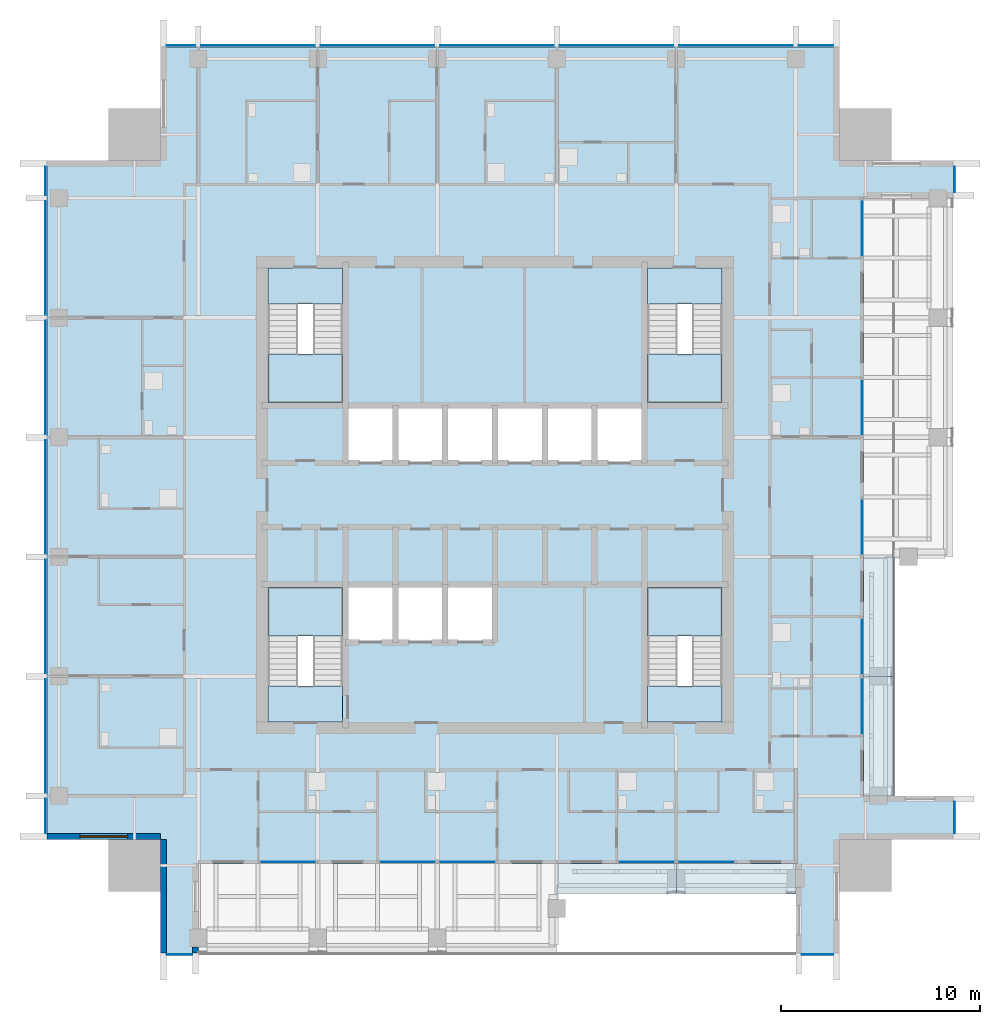
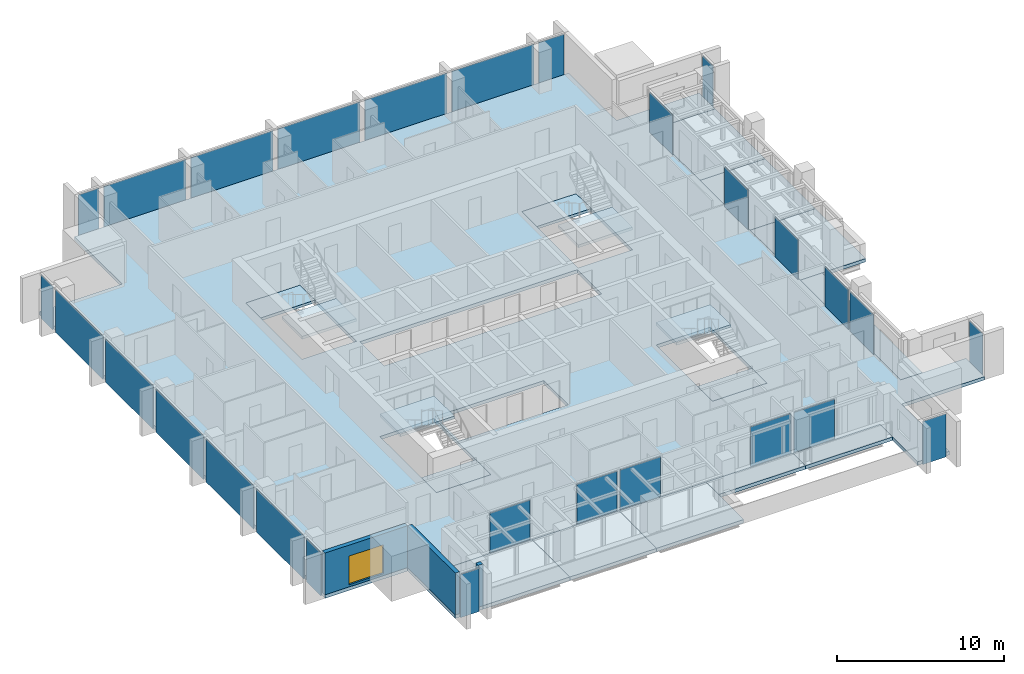
# One storey, part 7 of 17: 28 plates, 19 slabs, 3 walls, 1 window, 1 opening, 20 elements without a shape of their own.
"""IFC4 building model written with IfcOpenShell, lengths in metres."""

from ifc_helpers import new_model, si_unit, direction, frame, frame_2d, origin, origin_2d, place, context, subcontext, project, spatial, polyline, rectangle, outline, extrude, material, layer, layer_set, type_object, element, fill, aggregate, save


model = new_model("IFC4")

# Units and contexts
model_context = context("Model", 3, precision=1e-05, world=origin(), true_north=direction((0.0, 1.0)))
body_context = subcontext(model_context, "Body", "Model", "MODEL_VIEW")
ifc_project = project(units=[si_unit("LENGTHUNIT", "METRE"), si_unit("AREAUNIT", "SQUARE_METRE"), si_unit("VOLUMEUNIT", "CUBIC_METRE"), si_unit("PLANEANGLEUNIT", "RADIAN"), si_unit("MASSUNIT", "GRAM", prefix="KILO")], contexts=[model_context])

# Site, building, storey
site_placement = place(None, origin())
site = spatial("IfcSite", under=ifc_project, at=site_placement, CompositionType="ELEMENT")
building_placement = place(site_placement, origin())
building = spatial("IfcBuilding", under=site, at=building_placement, Name="Amberfall Residences", CompositionType="ELEMENT")
storey_placement = place(building_placement, frame((0.0, 0.0, 216.699951171875)))
storey = spatial("IfcBuildingStorey", under=building, at=storey_placement, Name="L58", CompositionType="ELEMENT", Elevation=216.699951171875)

# Curtain wall, plate
ifc_material_1 = material(Name="Bronze anodised aluminium and glass", Category="aluminium")
curtain_wall_type_1 = type_object("IfcCurtainWallType", Name="Curtain wall CW1 tower unit", PredefinedType="USERDEFINED", material=ifc_material_1)
curtain_wall_1_placement = place(storey_placement, origin())
curtain_wall_1 = element("IfcCurtainWall", 1, at=curtain_wall_1_placement, inside=storey, type_object=curtain_wall_type_1, Name="Curtain wall L58 S S1", ObjectType="UNITISED CURTAIN WALL", PredefinedType="USERDEFINED")
ifc_material_2 = material(Name="Tinted double glazed unit", Category="glass")
ifc_layer_1 = layer(ifc_material_2, 0.035888671875)
ifc_layer_set_1 = layer_set([ifc_layer_1], Name="CW1 panel 36 glazing")
plate_type_1 = type_object("IfcPlateType", Name="CW1 panel 36 glazing", PredefinedType="CURTAIN_PANEL", material=ifc_layer_set_1)
plate_1_placement = place(storey_placement, frame((58.64990234375, 22.425048828125, -0.25), z_axis=(0.0, 0.0, 1.0), x_axis=(1.0, 0.0, 0.0)))
plate_1 = element("IfcPlate", 2, at=plate_1_placement, type_object=plate_type_1, Name="CW1 panel 1.1", PredefinedType="CURTAIN_PANEL", context=body_context, shape_type="SweptSolid", body=[
    extrude(rectangle(XDim=1.27587890625, YDim=0.035888671875, at=origin_2d()), origin(), (0.0, 0.0, 1.0), 3.14990234375),
])
aggregate(curtain_wall_1, [plate_1])

curtain_wall_2_placement = place(storey_placement, origin())
curtain_wall_2 = element("IfcCurtainWall", 3, at=curtain_wall_2_placement, inside=storey, type_object=curtain_wall_type_1, Name="Curtain wall L58 S S9", ObjectType="UNITISED CURTAIN WALL", PredefinedType="USERDEFINED")
plate_2_placement = place(storey_placement, frame((90.699951171875, 22.425048828125, -0.25), z_axis=(0.0, 0.0, 1.0), x_axis=(1.0, 0.0, 0.0)))
plate_2 = element("IfcPlate", 4, at=plate_2_placement, type_object=plate_type_1, Name="CW1 panel 1.1", PredefinedType="CURTAIN_PANEL", context=body_context, shape_type="SweptSolid", body=[
    extrude(rectangle(XDim=1.575927734375, YDim=0.035888671875, at=origin_2d()), origin(), (0.0, 0.0, 1.0), 3.14990234375),
])
aggregate(curtain_wall_2, [plate_2])

curtain_wall_3_placement = place(storey_placement, origin())
curtain_wall_3 = element("IfcCurtainWall", 5, at=curtain_wall_3_placement, inside=storey, type_object=curtain_wall_type_1, Name="Curtain wall L58 E E1", ObjectType="UNITISED CURTAIN WALL", PredefinedType="USERDEFINED")
plate_3_placement = place(storey_placement, frame((97.574951171875, 29.300048828125, -0.25), z_axis=(0.0, 0.0, 1.0), x_axis=(0.0, 1.0, 0.0)))
plate_3 = element("IfcPlate", 6, at=plate_3_placement, type_object=plate_type_1, Name="CW1 panel 1.1", PredefinedType="CURTAIN_PANEL", context=body_context, shape_type="SweptSolid", body=[
    extrude(rectangle(XDim=1.575927734375, YDim=0.035888671875, at=origin_2d()), origin(), (0.0, 0.0, 1.0), 3.14990234375),
])
aggregate(curtain_wall_3, [plate_3])

curtain_wall_4_placement = place(storey_placement, origin())
curtain_wall_4 = element("IfcCurtainWall", 7, at=curtain_wall_4_placement, inside=storey, type_object=curtain_wall_type_1, Name="Curtain wall L58 E E9", ObjectType="UNITISED CURTAIN WALL", PredefinedType="USERDEFINED")
plate_4_placement = place(storey_placement, frame((97.574951171875, 61.35009765625, -0.25), z_axis=(0.0, 0.0, 1.0), x_axis=(0.0, 1.0, 0.0)))
plate_4 = element("IfcPlate", 8, at=plate_4_placement, type_object=plate_type_1, Name="CW1 panel 1.1", PredefinedType="CURTAIN_PANEL", context=body_context, shape_type="SweptSolid", body=[
    extrude(rectangle(XDim=1.27587890625, YDim=0.035888671875, at=origin_2d()), origin(), (0.0, 0.0, 1.0), 3.14990234375),
])
aggregate(curtain_wall_4, [plate_4])

# Curtain wall, plates
curtain_wall_5_placement = place(storey_placement, origin())
curtain_wall_5 = element("IfcCurtainWall", 9, at=curtain_wall_5_placement, inside=storey, type_object=curtain_wall_type_1, Name="Curtain wall L58 N N1", ObjectType="UNITISED CURTAIN WALL", PredefinedType="USERDEFINED")
plate_5_placement = place(storey_placement, frame((90.625, 68.074951171875, -0.25), z_axis=(0.0, 0.0, 1.0), x_axis=(-1.0, 0.0, 0.0)))
plate_5 = element("IfcPlate", 10, at=plate_5_placement, type_object=plate_type_1, Name="CW1 panel 1.1", PredefinedType="CURTAIN_PANEL", context=body_context, shape_type="SweptSolid", body=[
    extrude(rectangle(XDim=1.72607421875, YDim=0.035888671875, at=origin_2d()), origin(), (0.0, 0.0, 1.0), 3.14990234375),
])
plate_6_placement = place(storey_placement, frame((86.60009765625, 68.074951171875, -0.25), z_axis=(0.0, 0.0, 1.0), x_axis=(-1.0, 0.0, 0.0)))
plate_6 = element("IfcPlate", 11, at=plate_6_placement, type_object=plate_type_1, Name="CW1 panel 2.1", PredefinedType="CURTAIN_PANEL", context=body_context, shape_type="SweptSolid", body=[
    extrude(rectangle(XDim=5.676025390625, YDim=0.035888671875, at=origin_2d()), origin(), (0.0, 0.0, 1.0), 3.14990234375),
])
plate_7_placement = place(storey_placement, frame((80.60009765625, 68.074951171875, -0.25), z_axis=(0.0, 0.0, 1.0), x_axis=(-1.0, 0.0, 0.0)))
plate_7 = element("IfcPlate", 12, at=plate_7_placement, type_object=plate_type_1, Name="CW1 panel 3.1", PredefinedType="CURTAIN_PANEL", context=body_context, shape_type="SweptSolid", body=[
    extrude(rectangle(XDim=5.676025390625, YDim=0.035888671875, at=origin_2d()), origin(), (0.0, 0.0, 1.0), 3.14990234375),
])
plate_8_placement = place(storey_placement, frame((74.60009765625, 68.074951171875, -0.25), z_axis=(0.0, 0.0, 1.0), x_axis=(-1.0, 0.0, 0.0)))
plate_8 = element("IfcPlate", 13, at=plate_8_placement, type_object=plate_type_1, Name="CW1 panel 4.1", PredefinedType="CURTAIN_PANEL", context=body_context, shape_type="SweptSolid", body=[
    extrude(rectangle(XDim=5.676025390625, YDim=0.035888671875, at=origin_2d()), origin(), (0.0, 0.0, 1.0), 3.14990234375),
])
plate_9_placement = place(storey_placement, frame((68.60009765625, 68.074951171875, -0.25), z_axis=(0.0, 0.0, 1.0), x_axis=(-1.0, 0.0, 0.0)))
plate_9 = element("IfcPlate", 14, at=plate_9_placement, type_object=plate_type_1, Name="CW1 panel 5.1", PredefinedType="CURTAIN_PANEL", context=body_context, shape_type="SweptSolid", body=[
    extrude(rectangle(XDim=5.676025390625, YDim=0.035888671875, at=origin_2d()), origin(), (0.0, 0.0, 1.0), 3.14990234375),
])
plate_10_placement = place(storey_placement, frame((62.60009765625, 68.074951171875, -0.25), z_axis=(0.0, 0.0, 1.0), x_axis=(-1.0, 0.0, 0.0)))
plate_10 = element("IfcPlate", 15, at=plate_10_placement, type_object=plate_type_1, Name="CW1 panel 6.1", PredefinedType="CURTAIN_PANEL", context=body_context, shape_type="SweptSolid", body=[
    extrude(rectangle(XDim=5.676025390625, YDim=0.035888671875, at=origin_2d()), origin(), (0.0, 0.0, 1.0), 3.14990234375),
])
plate_11_placement = place(storey_placement, frame((58.72509765625, 68.074951171875, -0.25), z_axis=(0.0, 0.0, 1.0), x_axis=(-1.0, 0.0, 0.0)))
plate_11 = element("IfcPlate", 16, at=plate_11_placement, type_object=plate_type_1, Name="CW1 panel 7.1", PredefinedType="CURTAIN_PANEL", context=body_context, shape_type="SweptSolid", body=[
    extrude(rectangle(XDim=1.426025390625, YDim=0.035888671875, at=origin_2d()), origin(), (0.0, 0.0, 1.0), 3.14990234375),
])
aggregate(curtain_wall_5, [plate_5, plate_6, plate_7, plate_8, plate_9, plate_10, plate_11])

curtain_wall_6_placement = place(storey_placement, origin())
curtain_wall_6 = element("IfcCurtainWall", 17, at=curtain_wall_6_placement, inside=storey, type_object=curtain_wall_type_1, Name="Curtain wall L58 W W1", ObjectType="UNITISED CURTAIN WALL", PredefinedType="USERDEFINED")
plate_12_placement = place(storey_placement, frame((51.925048828125, 61.27490234375, -0.25), z_axis=(0.0, 0.0, 1.0), x_axis=(0.0, -1.0, 0.0)))
plate_12 = element("IfcPlate", 18, at=plate_12_placement, type_object=plate_type_1, Name="CW1 panel 1.1", PredefinedType="CURTAIN_PANEL", context=body_context, shape_type="SweptSolid", body=[
    extrude(rectangle(XDim=1.426025390625, YDim=0.035888671875, at=origin_2d()), origin(), (0.0, 0.0, 1.0), 3.14990234375),
])
plate_13_placement = place(storey_placement, frame((51.925048828125, 57.39990234375, -0.25), z_axis=(0.0, 0.0, 1.0), x_axis=(0.0, -1.0, 0.0)))
plate_13 = element("IfcPlate", 19, at=plate_13_placement, type_object=plate_type_1, Name="CW1 panel 2.1", PredefinedType="CURTAIN_PANEL", context=body_context, shape_type="SweptSolid", body=[
    extrude(rectangle(XDim=5.676025390625, YDim=0.035888671875, at=origin_2d()), origin(), (0.0, 0.0, 1.0), 3.14990234375),
])
plate_14_placement = place(storey_placement, frame((51.925048828125, 51.39990234375, -0.25), z_axis=(0.0, 0.0, 1.0), x_axis=(0.0, -1.0, 0.0)))
plate_14 = element("IfcPlate", 20, at=plate_14_placement, type_object=plate_type_1, Name="CW1 panel 3.1", PredefinedType="CURTAIN_PANEL", context=body_context, shape_type="SweptSolid", body=[
    extrude(rectangle(XDim=5.676025390625, YDim=0.035888671875, at=origin_2d()), origin(), (0.0, 0.0, 1.0), 3.14990234375),
])
plate_15_placement = place(storey_placement, frame((51.925048828125, 45.39990234375, -0.25), z_axis=(0.0, 0.0, 1.0), x_axis=(0.0, -1.0, 0.0)))
plate_15 = element("IfcPlate", 21, at=plate_15_placement, type_object=plate_type_1, Name="CW1 panel 4.1", PredefinedType="CURTAIN_PANEL", context=body_context, shape_type="SweptSolid", body=[
    extrude(rectangle(XDim=5.676025390625, YDim=0.035888671875, at=origin_2d()), origin(), (0.0, 0.0, 1.0), 3.14990234375),
])
plate_16_placement = place(storey_placement, frame((51.925048828125, 39.39990234375, -0.25), z_axis=(0.0, 0.0, 1.0), x_axis=(0.0, -1.0, 0.0)))
plate_16 = element("IfcPlate", 22, at=plate_16_placement, type_object=plate_type_1, Name="CW1 panel 5.1", PredefinedType="CURTAIN_PANEL", context=body_context, shape_type="SweptSolid", body=[
    extrude(rectangle(XDim=5.676025390625, YDim=0.035888671875, at=origin_2d()), origin(), (0.0, 0.0, 1.0), 3.14990234375),
])
plate_17_placement = place(storey_placement, frame((51.925048828125, 33.39990234375, -0.25), z_axis=(0.0, 0.0, 1.0), x_axis=(0.0, -1.0, 0.0)))
plate_17 = element("IfcPlate", 23, at=plate_17_placement, type_object=plate_type_1, Name="CW1 panel 6.1", PredefinedType="CURTAIN_PANEL", context=body_context, shape_type="SweptSolid", body=[
    extrude(rectangle(XDim=5.676025390625, YDim=0.035888671875, at=origin_2d()), origin(), (0.0, 0.0, 1.0), 3.14990234375),
])
plate_18_placement = place(storey_placement, frame((51.925048828125, 29.375, -0.25), z_axis=(0.0, 0.0, 1.0), x_axis=(0.0, -1.0, 0.0)))
plate_18 = element("IfcPlate", 24, at=plate_18_placement, type_object=plate_type_1, Name="CW1 panel 7.1", PredefinedType="CURTAIN_PANEL", context=body_context, shape_type="SweptSolid", body=[
    extrude(rectangle(XDim=1.72607421875, YDim=0.035888671875, at=origin_2d()), origin(), (0.0, 0.0, 1.0), 3.14990234375),
])
aggregate(curtain_wall_6, [plate_12, plate_13, plate_14, plate_15, plate_16, plate_17, plate_18])

# Curtain wall, plate
curtain_wall_type_2 = type_object("IfcCurtainWallType", Name="Curtain wall CW3 sky garden glazing", PredefinedType="USERDEFINED", material=ifc_material_1)
curtain_wall_7_placement = place(storey_placement, origin())
curtain_wall_7 = element("IfcCurtainWall", 25, at=curtain_wall_7_placement, inside=storey, type_object=curtain_wall_type_2, Name="Curtain wall L58 S S3", ObjectType="UNITISED CURTAIN WALL", PredefinedType="USERDEFINED")
ifc_material_3 = material(Name="Tinted laminated double glazed unit", Category="glass")
ifc_layer_2 = layer(ifc_material_3, 0.0439453125)
ifc_layer_set_2 = layer_set([ifc_layer_2], Name="CW3 panel 44 glazing")
plate_type_2 = type_object("IfcPlateType", Name="CW3 panel 44 glazing", PredefinedType="CURTAIN_PANEL", material=ifc_layer_set_2)
plate_19_placement = place(storey_placement, frame((64.10009765625, 27.074951171875, 0.0), z_axis=(0.0, 0.0, 1.0), x_axis=(1.0, 0.0, 0.0)))
plate_19 = element("IfcPlate", 26, at=plate_19_placement, type_object=plate_type_2, Name="CW3 panel 1.1", PredefinedType="CURTAIN_PANEL", context=body_context, shape_type="SweptSolid", body=[
    extrude(rectangle(XDim=2.77587890625, YDim=0.0439453125, at=origin_2d()), origin(), (0.0, 0.0, 1.0), 2.89990234375),
])
aggregate(curtain_wall_7, [plate_19])

curtain_wall_8_placement = place(storey_placement, origin())
curtain_wall_8 = element("IfcCurtainWall", 27, at=curtain_wall_8_placement, inside=storey, type_object=curtain_wall_type_2, Name="Curtain wall L58 S S4", ObjectType="UNITISED CURTAIN WALL", PredefinedType="USERDEFINED")
plate_20_placement = place(storey_placement, frame((70.10009765625, 27.074951171875, 0.0), z_axis=(0.0, 0.0, 1.0), x_axis=(1.0, 0.0, 0.0)))
plate_20 = element("IfcPlate", 28, at=plate_20_placement, type_object=plate_type_2, Name="CW3 panel 1.1", PredefinedType="CURTAIN_PANEL", context=body_context, shape_type="SweptSolid", body=[
    extrude(rectangle(XDim=2.77587890625, YDim=0.0439453125, at=origin_2d()), origin(), (0.0, 0.0, 1.0), 2.89990234375),
])
aggregate(curtain_wall_8, [plate_20])

curtain_wall_9_placement = place(storey_placement, origin())
curtain_wall_9 = element("IfcCurtainWall", 29, at=curtain_wall_9_placement, inside=storey, type_object=curtain_wall_type_2, Name="Curtain wall L58 S S5", ObjectType="UNITISED CURTAIN WALL", PredefinedType="USERDEFINED")
plate_21_placement = place(storey_placement, frame((73.10009765625, 27.074951171875, 0.0), z_axis=(0.0, 0.0, 1.0), x_axis=(1.0, 0.0, 0.0)))
plate_21 = element("IfcPlate", 30, at=plate_21_placement, type_object=plate_type_2, Name="CW3 panel 1.1", PredefinedType="CURTAIN_PANEL", context=body_context, shape_type="SweptSolid", body=[
    extrude(rectangle(XDim=2.77587890625, YDim=0.0439453125, at=origin_2d()), origin(), (0.0, 0.0, 1.0), 2.89990234375),
])
aggregate(curtain_wall_9, [plate_21])

curtain_wall_10_placement = place(storey_placement, origin())
curtain_wall_10 = element("IfcCurtainWall", 31, at=curtain_wall_10_placement, inside=storey, type_object=curtain_wall_type_2, Name="Curtain wall L58 S S6", ObjectType="UNITISED CURTAIN WALL", PredefinedType="USERDEFINED")
plate_22_placement = place(storey_placement, frame((82.10009765625, 27.074951171875, 0.0), z_axis=(0.0, 0.0, 1.0), x_axis=(1.0, 0.0, 0.0)))
plate_22 = element("IfcPlate", 32, at=plate_22_placement, type_object=plate_type_2, Name="CW3 panel 1.1", PredefinedType="CURTAIN_PANEL", context=body_context, shape_type="SweptSolid", body=[
    extrude(rectangle(XDim=2.77587890625, YDim=0.0439453125, at=origin_2d()), origin(), (0.0, 0.0, 1.0), 2.89990234375),
])
aggregate(curtain_wall_10, [plate_22])

curtain_wall_11_placement = place(storey_placement, origin())
curtain_wall_11 = element("IfcCurtainWall", 33, at=curtain_wall_11_placement, inside=storey, type_object=curtain_wall_type_2, Name="Curtain wall L58 S S7", ObjectType="UNITISED CURTAIN WALL", PredefinedType="USERDEFINED")
plate_23_placement = place(storey_placement, frame((85.10009765625, 27.074951171875, 0.0), z_axis=(0.0, 0.0, 1.0), x_axis=(1.0, 0.0, 0.0)))
plate_23 = element("IfcPlate", 34, at=plate_23_placement, type_object=plate_type_2, Name="CW3 panel 1.1", PredefinedType="CURTAIN_PANEL", context=body_context, shape_type="SweptSolid", body=[
    extrude(rectangle(XDim=2.77587890625, YDim=0.0439453125, at=origin_2d()), origin(), (0.0, 0.0, 1.0), 2.89990234375),
])
aggregate(curtain_wall_11, [plate_23])

curtain_wall_12_placement = place(storey_placement, origin())
curtain_wall_12 = element("IfcCurtainWall", 35, at=curtain_wall_12_placement, inside=storey, type_object=curtain_wall_type_2, Name="Curtain wall L58 E E3", ObjectType="UNITISED CURTAIN WALL", PredefinedType="USERDEFINED")
plate_24_placement = place(storey_placement, frame((92.925048828125, 34.89990234375, 0.0), z_axis=(0.0, 0.0, 1.0), x_axis=(0.0, 1.0, 0.0)))
plate_24 = element("IfcPlate", 36, at=plate_24_placement, type_object=plate_type_2, Name="CW3 panel 1.1", PredefinedType="CURTAIN_PANEL", context=body_context, shape_type="SweptSolid", body=[
    extrude(rectangle(XDim=2.77587890625, YDim=0.0439453125, at=origin_2d()), origin(), (0.0, 0.0, 1.0), 2.89990234375),
])
aggregate(curtain_wall_12, [plate_24])

curtain_wall_13_placement = place(storey_placement, origin())
curtain_wall_13 = element("IfcCurtainWall", 37, at=curtain_wall_13_placement, inside=storey, type_object=curtain_wall_type_2, Name="Curtain wall L58 E E4", ObjectType="UNITISED CURTAIN WALL", PredefinedType="USERDEFINED")
plate_25_placement = place(storey_placement, frame((92.925048828125, 37.89990234375, 0.0), z_axis=(0.0, 0.0, 1.0), x_axis=(0.0, 1.0, 0.0)))
plate_25 = element("IfcPlate", 38, at=plate_25_placement, type_object=plate_type_2, Name="CW3 panel 1.1", PredefinedType="CURTAIN_PANEL", context=body_context, shape_type="SweptSolid", body=[
    extrude(rectangle(XDim=2.77587890625, YDim=0.0439453125, at=origin_2d()), origin(), (0.0, 0.0, 1.0), 2.89990234375),
])
aggregate(curtain_wall_13, [plate_25])

curtain_wall_14_placement = place(storey_placement, origin())
curtain_wall_14 = element("IfcCurtainWall", 39, at=curtain_wall_14_placement, inside=storey, type_object=curtain_wall_type_2, Name="Curtain wall L58 E E5", ObjectType="UNITISED CURTAIN WALL", PredefinedType="USERDEFINED")
plate_26_placement = place(storey_placement, frame((92.925048828125, 43.89990234375, 0.0), z_axis=(0.0, 0.0, 1.0), x_axis=(0.0, 1.0, 0.0)))
plate_26 = element("IfcPlate", 40, at=plate_26_placement, type_object=plate_type_2, Name="CW3 panel 1.1", PredefinedType="CURTAIN_PANEL", context=body_context, shape_type="SweptSolid", body=[
    extrude(rectangle(XDim=2.77587890625, YDim=0.0439453125, at=origin_2d()), origin(), (0.0, 0.0, 1.0), 2.89990234375),
])
aggregate(curtain_wall_14, [plate_26])

curtain_wall_15_placement = place(storey_placement, origin())
curtain_wall_15 = element("IfcCurtainWall", 41, at=curtain_wall_15_placement, inside=storey, type_object=curtain_wall_type_2, Name="Curtain wall L58 E E6", ObjectType="UNITISED CURTAIN WALL", PredefinedType="USERDEFINED")
plate_27_placement = place(storey_placement, frame((92.925048828125, 49.89990234375, 0.0), z_axis=(0.0, 0.0, 1.0), x_axis=(0.0, 1.0, 0.0)))
plate_27 = element("IfcPlate", 42, at=plate_27_placement, type_object=plate_type_2, Name="CW3 panel 1.1", PredefinedType="CURTAIN_PANEL", context=body_context, shape_type="SweptSolid", body=[
    extrude(rectangle(XDim=2.77587890625, YDim=0.0439453125, at=origin_2d()), origin(), (0.0, 0.0, 1.0), 2.89990234375),
])
aggregate(curtain_wall_15, [plate_27])

curtain_wall_16_placement = place(storey_placement, origin())
curtain_wall_16 = element("IfcCurtainWall", 43, at=curtain_wall_16_placement, inside=storey, type_object=curtain_wall_type_2, Name="Curtain wall L58 E E7", ObjectType="UNITISED CURTAIN WALL", PredefinedType="USERDEFINED")
plate_28_placement = place(storey_placement, frame((92.925048828125, 58.89990234375, 0.0), z_axis=(0.0, 0.0, 1.0), x_axis=(0.0, 1.0, 0.0)))
plate_28 = element("IfcPlate", 44, at=plate_28_placement, type_object=plate_type_2, Name="CW3 panel 1.1", PredefinedType="CURTAIN_PANEL", context=body_context, shape_type="SweptSolid", body=[
    extrude(rectangle(XDim=2.77587890625, YDim=0.0439453125, at=origin_2d()), origin(), (0.0, 0.0, 1.0), 2.89990234375),
])
aggregate(curtain_wall_16, [plate_28])

# Slabs
ifc_material_4 = material(Name="Concrete C55", Category="concrete")
ifc_layer_3 = layer(ifc_material_4, 0.25)
ifc_layer_set_3 = layer_set([ifc_layer_3], Name="Floor slab 250 C55")
slab_type_1 = type_object("IfcSlabType", Name="Floor slab 250 C55", PredefinedType="FLOOR", material=ifc_layer_set_3)
slab_1_placement = place(storey_placement, frame((0.0, 0.0, -0.25)))
element("IfcSlab", 45, at=slab_1_placement, inside=storey, type_object=slab_type_1, Name="Floor slab S16 L58", PredefinedType="FLOOR", context=body_context, shape_type="SweptSolid", body=[
    extrude(outline(polyline([(89.60009765625, 22.5), (89.60009765625, 27.0), (83.60009765625, 27.0), (77.60009765625, 27.0), (71.60009765625, 27.0), (65.60009765625, 27.0), (59.60009765625, 27.0), (59.60009765625, 22.5), (57.699951171875, 22.5), (57.699951171875, 28.199951171875), (52.0, 28.199951171875), (52.0, 62.300048828125), (57.699951171875, 62.300048828125), (57.699951171875, 68.0), (91.800048828125, 68.0), (91.800048828125, 62.300048828125), (97.5, 62.300048828125), (97.5, 60.39990234375), (93.0, 60.39990234375), (93.0, 54.39990234375), (93.0, 48.39990234375), (93.0, 42.39990234375), (93.0, 36.39990234375), (93.0, 30.39990234375), (97.5, 30.39990234375), (97.5, 28.199951171875), (91.800048828125, 28.199951171875), (91.800048828125, 22.5), (89.60009765625, 22.5)]), holes=[polyline([(85.89990234375, 34.10009765625), (85.89990234375, 40.85009765625), (82.14990234375, 40.85009765625), (82.14990234375, 34.10009765625), (85.89990234375, 34.10009765625)]), polyline([(85.89990234375, 50.14990234375), (85.89990234375, 56.89990234375), (82.14990234375, 56.89990234375), (82.14990234375, 50.14990234375), (85.89990234375, 50.14990234375)]), polyline([(67.0, 50.0), (67.0, 47.10009765625), (69.5, 47.10009765625), (72.0, 47.10009765625), (74.5, 47.10009765625), (77.0, 47.10009765625), (79.5, 47.10009765625), (82.0, 47.10009765625), (82.0, 50.0), (79.5, 50.0), (77.0, 50.0), (74.5, 50.0), (72.0, 50.0), (69.5, 50.0), (67.0, 50.0)]), polyline([(69.5, 41.0), (67.0, 41.0), (67.0, 38.10009765625), (69.5, 38.10009765625), (72.0, 38.10009765625), (74.5, 38.10009765625), (74.5, 41.0), (72.0, 41.0), (69.5, 41.0)]), polyline([(66.85009765625, 40.85009765625), (63.10009765625, 40.85009765625), (63.10009765625, 34.10009765625), (66.85009765625, 34.10009765625), (66.85009765625, 40.85009765625)]), polyline([(66.85009765625, 56.89990234375), (63.10009765625, 56.89990234375), (63.10009765625, 50.14990234375), (66.85009765625, 50.14990234375), (66.85009765625, 56.89990234375)])]), origin(), (0.0, 0.0, 1.0), 0.25),
])
ifc_layer_4 = layer(ifc_material_4, 0.25)
ifc_layer_set_4 = layer_set([ifc_layer_4], Name="Garden terrace slab 250 C55")
slab_type_2 = type_object("IfcSlabType", Name="Garden terrace slab 250 C55", PredefinedType="FLOOR", material=ifc_layer_set_4)
slab_2_placement = place(storey_placement, frame((0.0, 0.0, -0.25)))
element("IfcSlab", 46, at=slab_2_placement, inside=storey, type_object=slab_type_2, Name="Terrace slab S17 L58 S1", PredefinedType="FLOOR", context=body_context, shape_type="SweptSolid", body=[
    extrude(outline(polyline([(65.60009765625, 22.5), (65.60009765625, 27.0), (59.60009765625, 27.0), (59.60009765625, 22.5), (65.60009765625, 22.5)])), origin(), (0.0, 0.0, 1.0), 0.25),
])
slab_3_placement = place(storey_placement, frame((0.0, 0.0, -0.25)))
element("IfcSlab", 47, at=slab_3_placement, inside=storey, type_object=slab_type_2, Name="Terrace slab S17 L58 S2", PredefinedType="FLOOR", context=body_context, shape_type="SweptSolid", body=[
    extrude(outline(polyline([(71.60009765625, 22.5), (71.60009765625, 27.0), (65.60009765625, 27.0), (65.60009765625, 22.5), (71.60009765625, 22.5)])), origin(), (0.0, 0.0, 1.0), 0.25),
])
slab_4_placement = place(storey_placement, frame((0.0, 0.0, -0.25)))
element("IfcSlab", 48, at=slab_4_placement, inside=storey, type_object=slab_type_2, Name="Terrace slab S17 L58 S3", PredefinedType="FLOOR", context=body_context, shape_type="SweptSolid", body=[
    extrude(outline(polyline([(77.60009765625, 22.5), (77.60009765625, 27.0), (71.60009765625, 27.0), (71.60009765625, 22.5), (77.60009765625, 22.5)])), origin(), (0.0, 0.0, 1.0), 0.25),
])
slab_5_placement = place(storey_placement, frame((0.0, 0.0, -0.25)))
element("IfcSlab", 49, at=slab_5_placement, inside=storey, type_object=slab_type_2, Name="Terrace slab S17 L58 S4", PredefinedType="FLOOR", context=body_context, shape_type="SweptSolid", body=[
    extrude(outline(polyline([(77.60009765625, 27.0), (83.60009765625, 27.0), (83.60009765625, 25.5), (77.60009765625, 25.5), (77.60009765625, 27.0)])), origin(), (0.0, 0.0, 1.0), 0.25),
])
slab_6_placement = place(storey_placement, frame((0.0, 0.0, -0.25)))
element("IfcSlab", 50, at=slab_6_placement, inside=storey, type_object=slab_type_2, Name="Terrace slab S17 L58 S5", PredefinedType="FLOOR", context=body_context, shape_type="SweptSolid", body=[
    extrude(outline(polyline([(83.60009765625, 27.0), (89.60009765625, 27.0), (89.60009765625, 25.5), (83.60009765625, 25.5), (83.60009765625, 27.0)])), origin(), (0.0, 0.0, 1.0), 0.25),
])
slab_7_placement = place(storey_placement, frame((0.0, 0.0, -0.25)))
element("IfcSlab", 51, at=slab_7_placement, inside=storey, type_object=slab_type_2, Name="Terrace slab S17 L58 E1", PredefinedType="FLOOR", context=body_context, shape_type="SweptSolid", body=[
    extrude(outline(polyline([(93.0, 30.39990234375), (93.0, 36.39990234375), (94.5, 36.39990234375), (94.5, 30.39990234375), (93.0, 30.39990234375)])), origin(), (0.0, 0.0, 1.0), 0.25),
])
slab_8_placement = place(storey_placement, frame((0.0, 0.0, -0.25)))
element("IfcSlab", 52, at=slab_8_placement, inside=storey, type_object=slab_type_2, Name="Terrace slab S17 L58 E2", PredefinedType="FLOOR", context=body_context, shape_type="SweptSolid", body=[
    extrude(outline(polyline([(93.0, 36.39990234375), (93.0, 42.39990234375), (94.5, 42.39990234375), (94.5, 36.39990234375), (93.0, 36.39990234375)])), origin(), (0.0, 0.0, 1.0), 0.25),
])
slab_9_placement = place(storey_placement, frame((0.0, 0.0, -0.25)))
element("IfcSlab", 53, at=slab_9_placement, inside=storey, type_object=slab_type_2, Name="Terrace slab S17 L58 E3", PredefinedType="FLOOR", context=body_context, shape_type="SweptSolid", body=[
    extrude(outline(polyline([(97.5, 42.39990234375), (97.5, 48.39990234375), (93.0, 48.39990234375), (93.0, 42.39990234375), (97.5, 42.39990234375)])), origin(), (0.0, 0.0, 1.0), 0.25),
])
slab_10_placement = place(storey_placement, frame((0.0, 0.0, -0.25)))
element("IfcSlab", 54, at=slab_10_placement, inside=storey, type_object=slab_type_2, Name="Terrace slab S17 L58 E4", PredefinedType="FLOOR", context=body_context, shape_type="SweptSolid", body=[
    extrude(outline(polyline([(97.5, 48.39990234375), (97.5, 54.39990234375), (93.0, 54.39990234375), (93.0, 48.39990234375), (97.5, 48.39990234375)])), origin(), (0.0, 0.0, 1.0), 0.25),
])
slab_11_placement = place(storey_placement, frame((0.0, 0.0, -0.25)))
element("IfcSlab", 55, at=slab_11_placement, inside=storey, type_object=slab_type_2, Name="Terrace slab S17 L58 E5", PredefinedType="FLOOR", context=body_context, shape_type="SweptSolid", body=[
    extrude(outline(polyline([(97.5, 54.39990234375), (97.5, 60.39990234375), (93.0, 60.39990234375), (93.0, 54.39990234375), (97.5, 54.39990234375)])), origin(), (0.0, 0.0, 1.0), 0.25),
])

# Stair, slabs
ifc_material_5 = material(Name="Concrete C40", Category="concrete")
stair_type = type_object("IfcStairType", Name="Exit stair 20 risers 165.0 mm", PredefinedType="HALF_TURN_STAIR", material=ifc_material_5)
stair_1_placement = place(storey_placement, origin())
stair_1 = element("IfcStair", 56, at=stair_1_placement, inside=storey, type_object=stair_type, Name="L58 Exit stair 1", PredefinedType="HALF_TURN_STAIR")
ifc_layer_5 = layer(ifc_material_5, 0.199951171875)
ifc_layer_set_5 = layer_set([ifc_layer_5], Name="Stair landing 200")
slab_type_3 = type_object("IfcSlabType", Name="Stair landing 200", PredefinedType="LANDING", material=ifc_layer_set_5)
slab_12_placement = place(storey_placement, frame((0.0, 0.0, 1.449951171875)))
slab_12 = element("IfcSlab", 57, at=slab_12_placement, type_object=slab_type_3, Name="ST3 landing 1", PredefinedType="LANDING", context=body_context, shape_type="SweptSolid", body=[
    extrude(outline(polyline([(66.85009765625, 38.419921875), (66.85009765625, 40.85009765625), (63.10009765625, 40.85009765625), (63.10009765625, 38.419921875), (66.85009765625, 38.419921875)])), origin(), (0.0, 0.0, 1.0), 0.2001953125),
])
slab_13_placement = place(storey_placement, frame((0.0, 0.0, -0.199951171875)))
slab_13 = element("IfcSlab", 58, at=slab_13_placement, type_object=slab_type_3, Name="ST3 landing 2", PredefinedType="LANDING", context=body_context, shape_type="SweptSolid", body=[
    extrude(outline(polyline([(66.85009765625, 34.10009765625), (66.85009765625, 35.89990234375), (63.10009765625, 35.89990234375), (63.10009765625, 34.10009765625), (66.85009765625, 34.10009765625)])), origin(), (0.0, 0.0, 1.0), 0.199951171875),
])
aggregate(stair_1, [slab_12, slab_13])

stair_2_placement = place(storey_placement, origin())
stair_2 = element("IfcStair", 59, at=stair_2_placement, inside=storey, type_object=stair_type, Name="L58 Exit stair 2", PredefinedType="HALF_TURN_STAIR")
slab_14_placement = place(storey_placement, frame((0.0, 0.0, 1.449951171875)))
slab_14 = element("IfcSlab", 60, at=slab_14_placement, type_object=slab_type_3, Name="ST3 landing 1", PredefinedType="LANDING", context=body_context, shape_type="SweptSolid", body=[
    extrude(outline(polyline([(85.89990234375, 38.419921875), (85.89990234375, 40.85009765625), (82.14990234375, 40.85009765625), (82.14990234375, 38.419921875), (85.89990234375, 38.419921875)])), origin(), (0.0, 0.0, 1.0), 0.2001953125),
])
slab_15_placement = place(storey_placement, frame((0.0, 0.0, -0.199951171875)))
slab_15 = element("IfcSlab", 61, at=slab_15_placement, type_object=slab_type_3, Name="ST3 landing 2", PredefinedType="LANDING", context=body_context, shape_type="SweptSolid", body=[
    extrude(outline(polyline([(85.89990234375, 34.10009765625), (85.89990234375, 35.89990234375), (82.14990234375, 35.89990234375), (82.14990234375, 34.10009765625), (85.89990234375, 34.10009765625)])), origin(), (0.0, 0.0, 1.0), 0.199951171875),
])
aggregate(stair_2, [slab_14, slab_15])

stair_3_placement = place(storey_placement, origin())
stair_3 = element("IfcStair", 62, at=stair_3_placement, inside=storey, type_object=stair_type, Name="L58 Exit stair 3", PredefinedType="HALF_TURN_STAIR")
slab_16_placement = place(storey_placement, frame((0.0, 0.0, 1.449951171875)))
slab_16 = element("IfcSlab", 63, at=slab_16_placement, type_object=slab_type_3, Name="ST3 landing 1", PredefinedType="LANDING", context=body_context, shape_type="SweptSolid", body=[
    extrude(outline(polyline([(82.14990234375, 52.580078125), (82.14990234375, 50.14990234375), (85.89990234375, 50.14990234375), (85.89990234375, 52.580078125), (82.14990234375, 52.580078125)])), origin(), (0.0, 0.0, 1.0), 0.2001953125),
])
slab_17_placement = place(storey_placement, frame((0.0, 0.0, -0.199951171875)))
slab_17 = element("IfcSlab", 64, at=slab_17_placement, type_object=slab_type_3, Name="ST3 landing 2", PredefinedType="LANDING", context=body_context, shape_type="SweptSolid", body=[
    extrude(outline(polyline([(82.14990234375, 56.89990234375), (82.14990234375, 55.10009765625), (85.89990234375, 55.10009765625), (85.89990234375, 56.89990234375), (82.14990234375, 56.89990234375)])), origin(), (0.0, 0.0, 1.0), 0.199951171875),
])
aggregate(stair_3, [slab_16, slab_17])

stair_4_placement = place(storey_placement, origin())
stair_4 = element("IfcStair", 65, at=stair_4_placement, inside=storey, type_object=stair_type, Name="L58 Exit stair 4", PredefinedType="HALF_TURN_STAIR")
slab_18_placement = place(storey_placement, frame((0.0, 0.0, 1.449951171875)))
slab_18 = element("IfcSlab", 66, at=slab_18_placement, type_object=slab_type_3, Name="ST3 landing 1", PredefinedType="LANDING", context=body_context, shape_type="SweptSolid", body=[
    extrude(outline(polyline([(63.10009765625, 52.580078125), (63.10009765625, 50.14990234375), (66.85009765625, 50.14990234375), (66.85009765625, 52.580078125), (63.10009765625, 52.580078125)])), origin(), (0.0, 0.0, 1.0), 0.2001953125),
])
slab_19_placement = place(storey_placement, frame((0.0, 0.0, -0.199951171875)))
slab_19 = element("IfcSlab", 67, at=slab_19_placement, type_object=slab_type_3, Name="ST3 landing 2", PredefinedType="LANDING", context=body_context, shape_type="SweptSolid", body=[
    extrude(outline(polyline([(63.10009765625, 56.89990234375), (63.10009765625, 55.10009765625), (66.85009765625, 55.10009765625), (66.85009765625, 56.89990234375), (63.10009765625, 56.89990234375)])), origin(), (0.0, 0.0, 1.0), 0.199951171875),
])
aggregate(stair_4, [slab_18, slab_19])

# Wall
ifc_material_6 = material(Name="Pale stone cladding on insulated backing", Category="masonry")
ifc_layer_6 = layer(ifc_material_6, 0.300048828125)
ifc_layer_set_6 = layer_set([ifc_layer_6], Name="Bronze clad wall 300")
wall_type = type_object("IfcWallType", Name="Bronze clad wall 300", PredefinedType="SOLIDWALL", material=ifc_layer_set_6)
wall_1_placement = place(storey_placement, frame((59.449951171875, 22.5, 0.0), z_axis=(0.0, 0.0, 1.0), x_axis=(0.0, 1.0, 0.0)))
element("IfcWall", 68, at=wall_1_placement, inside=storey, type_object=wall_type, Name="External wall L58 S", PredefinedType="SOLIDWALL", context=body_context, shape_type="SweptSolid", body=[
    extrude(rectangle(XDim=0.300048828125, YDim=0.300048828125, at=frame_2d((0.14990234375, 0.0))), origin(), (0.0, 0.0, 1.0), 3.050048828125),
])

# Wall, opening, window
wall_2_placement = place(storey_placement, frame((52.0, 28.35009765625, 0.0), z_axis=(0.0, 0.0, 1.0), x_axis=(1.0, 0.0, 0.0)))
wall_2 = element("IfcWall", 69, at=wall_2_placement, inside=storey, type_object=wall_type, Name="External wall L58 SW", PredefinedType="SOLIDWALL", context=body_context, shape_type="SweptSolid", body=[
    extrude(rectangle(XDim=5.699951171875, YDim=0.300048828125, at=frame_2d((2.85009765625, 0.0))), origin(), (0.0, 0.0, 1.0), 3.050048828125),
])
opening_placement = place(wall_2_placement, frame((1.64990234375, 0.0, 0.14990234375)))
opening = element("IfcOpeningElement", 70, at=opening_placement, cuts=wall_2, Name="Opening WN5", PredefinedType="OPENING", context=body_context, shape_type="SweptSolid", body=[
    extrude(rectangle(XDim=2.39990234375, YDim=2.10009765625, at=frame_2d((1.199951171875, 1.050048828125))), frame((0.0, 0.159912109375, 0.0), z_axis=(0.0, -1.0, 0.0), x_axis=(1.0, 0.0, 0.0)), (0.0, 0.0, 1.0), 0.320068359375),
])
ifc_material_7 = material(Name="Bronze aluminium framed glazing", Category="aluminium")
window_type = type_object("IfcWindowType", Name="Glazed opening 2400 x 2100 bronze", PartitioningType="DOUBLE_PANEL_VERTICAL", PredefinedType="WINDOW", material=ifc_material_7)
window_placement = place(opening_placement, origin())
window = element("IfcWindow", 71, at=window_placement, inside=storey, type_object=window_type, Name="Window L58 SW", OverallHeight=2.10009765625, OverallWidth=2.39990234375, PartitioningType="DOUBLE_PANEL_VERTICAL", PredefinedType="WINDOW", context=body_context, shape_type="SweptSolid", body=[
    extrude(rectangle(XDim=2.39990234375, YDim=2.10009765625, at=frame_2d((1.199951171875, 1.050048828125))), frame((0.0, 0.030029296875, 0.0), z_axis=(0.0, -1.0, 0.0), x_axis=(1.0, 0.0, 0.0)), (0.0, 0.0, 1.0), 0.06005859375),
])
fill(opening, window)

# Wall
wall_3_placement = place(storey_placement, frame((57.85009765625, 28.199951171875, 0.0), z_axis=(0.0, 0.0, 1.0), x_axis=(0.0, -1.0, 0.0)))
element("IfcWall", 72, at=wall_3_placement, inside=storey, type_object=wall_type, Name="External wall L58 SW", PredefinedType="SOLIDWALL", context=body_context, shape_type="SweptSolid", body=[
    extrude(rectangle(XDim=5.699951171875, YDim=0.300048828125, at=frame_2d((2.85009765625, 0.0))), origin(), (0.0, 0.0, 1.0), 3.050048828125),
])

save(model, "model.ifc")
